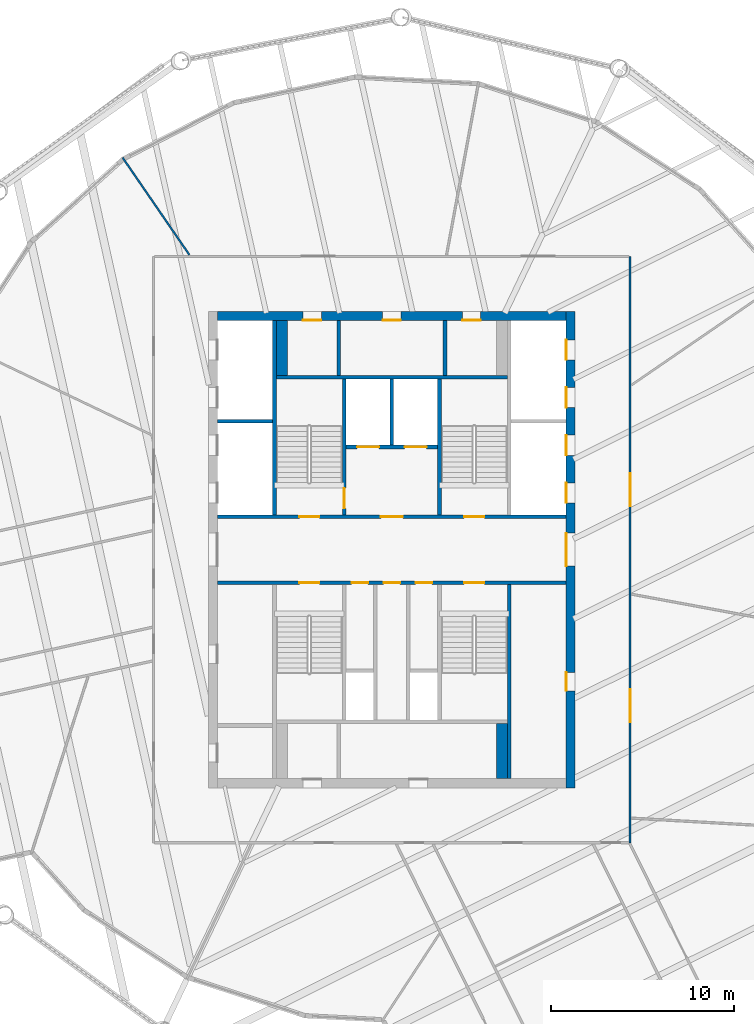
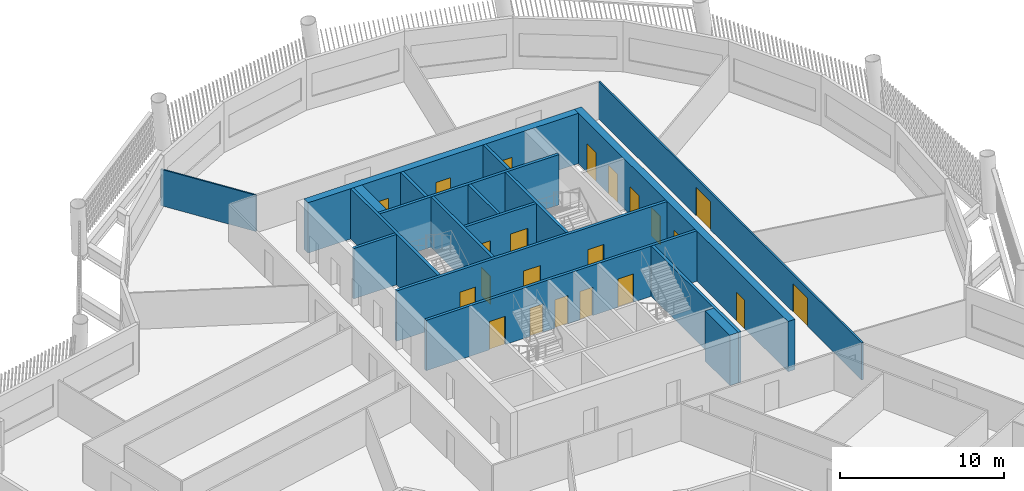
# One storey, part 5 of 14: 22 doors, 18 walls, 22 openings.
"""IFC4 building model written with IfcOpenShell, lengths in metres."""

import ifcopenshell
import ifcopenshell.guid

model = None  # the IFC model being written
_history = None  # IfcOwnerHistory: only IFC2X3 demands one
_inside = {}  # id of a spatial element -> (the spatial element, [elements in it])
_under = {}  # id of a project, library or spatial element -> (it, [spatial elements below it])
_declared = {}  # id of a project -> (the project, [libraries it declares])
_typed = {}  # id of a type object -> (the type object, [elements of that type])
_made_of = {}  # id of a material, layer set ... -> (it, [elements and type objects made of it])


def new_model(schema):
    """Start an empty IFC model of exactly this schema.

    Asked for "IFC4X3", IfcOpenShell would pick the latest addendum, in which some entities
    have other attributes; the version numbers below select the first issue.
    IFC2X3 requires an IfcOwnerHistory on every rooted entity: one is made here for all.
    """
    global model, _history
    if schema == "IFC4X3":
        model = ifcopenshell.file(schema_version=(4, 3, 0, 0))
    else:
        model = ifcopenshell.file(schema=schema)
    _inside.clear()
    _under.clear()
    _declared.clear()
    _typed.clear()
    _made_of.clear()
    _history = None
    if model.schema == "IFC2X3":
        org = make("IfcOrganization", Name="unknown")
        user = make(
            "IfcPersonAndOrganization",
            ThePerson=make("IfcPerson", FamilyName="unknown"),
            TheOrganization=org,
        )
        app = make(
            "IfcApplication",
            ApplicationDeveloper=org,
            Version="unknown",
            ApplicationFullName="unknown",
            ApplicationIdentifier="unknown",
        )
        _history = make(
            "IfcOwnerHistory",
            OwningUser=user,
            OwningApplication=app,
            ChangeAction="ADDED",
            CreationDate=0,
        )
    return model


def make(cls, **values):
    """One entity of the class cls with the attributes given. An attribute that is None is left unset."""
    return model.create_entity(
        cls, **{name: value for name, value in values.items() if value is not None}
    )


def rooted(cls, **values):
    """An entity with a GlobalId (a new one), such as an element, a storey or a relation."""
    return make(cls, GlobalId=ifcopenshell.guid.new(), OwnerHistory=_history, **values)


def si_unit(unit_type, name, prefix=None):
    """IfcSIUnit, for example si_unit("LENGTHUNIT", "METRE", prefix="MILLI")."""
    return make("IfcSIUnit", UnitType=unit_type, Prefix=prefix, Name=name)


def assignment(units):
    """IfcUnitAssignment: the units of a project."""
    return None if units is None else make("IfcUnitAssignment", Units=units)


def point(xyz):
    """IfcCartesianPoint."""
    return None if xyz is None else make("IfcCartesianPoint", Coordinates=xyz)


def direction(xyz):
    """IfcDirection."""
    return None if xyz is None else make("IfcDirection", DirectionRatios=xyz)


def frame(location, z_axis=None, x_axis=None):
    """IfcAxis2Placement3D, a coordinate frame: its origin and axes. An axis left out is left unset."""
    return make(
        "IfcAxis2Placement3D",
        Location=point(location),
        Axis=direction(z_axis),
        RefDirection=direction(x_axis),
    )


def frame_2d(location, x_axis=None):
    """IfcAxis2Placement2D, a coordinate frame in the plane: its origin and x axis."""
    return make(
        "IfcAxis2Placement2D", Location=point(location), RefDirection=direction(x_axis)
    )


def origin():
    """The frame at (0, 0, 0) with its axes left unset."""
    return frame((0.0, 0.0, 0.0))


def place(relative_to, where):
    """IfcLocalPlacement: puts the frame where relative to a parent placement (None: the world)."""
    return make(
        "IfcLocalPlacement", PlacementRelTo=relative_to, RelativePlacement=where
    )


def context(
    kind, dimensions, precision=None, world=None, true_north=None, identifier=None
):
    """IfcGeometricRepresentationContext, for example the 3D "Model" context."""
    return make(
        "IfcGeometricRepresentationContext",
        ContextIdentifier=identifier,
        ContextType=kind,
        CoordinateSpaceDimension=dimensions,
        Precision=precision,
        WorldCoordinateSystem=world,
        TrueNorth=true_north,
    )


def subcontext(parent, identifier, kind, view, scale=None):
    """IfcGeometricRepresentationSubContext, for example "Body" below "Model"."""
    return make(
        "IfcGeometricRepresentationSubContext",
        ContextIdentifier=identifier,
        ContextType=kind,
        ParentContext=parent,
        TargetScale=scale,
        TargetView=view,
    )


def project(units=None, contexts=None):
    """IfcProject with its units and contexts."""
    return rooted(
        "IfcProject",
        Name="project",
        RepresentationContexts=contexts,
        UnitsInContext=assignment(units),
    )


def spatial(cls, under=None, at=None, **own):
    """A site, building, storey or space (cls), placed at a placement, below another one or the project."""
    s = rooted(cls, ObjectPlacement=at, **own)
    if under is not None:
        _under.setdefault(under.id(), (under, []))[1].append(s)
    return s


def profile(cls, at=None, kind="AREA", **sizes):
    """A parametric profile (cls). Its sizes go by their IFC names, for example OverallWidth=200.0."""
    return make(cls, ProfileType=kind, Position=at, **sizes)


def rectangle(**sizes):
    """IfcRectangleProfileDef."""
    return profile("IfcRectangleProfileDef", **sizes)


def extrude(swept, where, along, depth):
    """IfcExtrudedAreaSolid: the profile swept, set in the frame where, extruded along a direction by depth."""
    return make(
        "IfcExtrudedAreaSolid",
        SweptArea=swept,
        Position=where,
        ExtrudedDirection=direction(along),
        Depth=depth,
    )


def shape(context_of_items, identifier, shape_type, items):
    """IfcShapeRepresentation: the items that make up one representation, for example the "Body"."""
    return make(
        "IfcShapeRepresentation",
        ContextOfItems=context_of_items,
        RepresentationIdentifier=identifier,
        RepresentationType=shape_type,
        Items=items,
    )


def material(Name=None, Category=None):
    """IfcMaterial."""
    return make("IfcMaterial", Name=Name, Category=Category)


def layer(
    of_material, thickness, ventilated=None, Name=None, Category=None, Priority=None
):
    """IfcMaterialLayer: one layer of a wall or slab, of a material (None: an air gap)."""
    return make(
        "IfcMaterialLayer",
        Material=of_material,
        LayerThickness=thickness,
        IsVentilated=ventilated,
        Name=Name,
        Category=Category,
        Priority=Priority,
    )


def layer_set(layers, Name=None):
    """IfcMaterialLayerSet."""
    return make("IfcMaterialLayerSet", MaterialLayers=layers, LayerSetName=Name)


def made_of(thing, what):
    """Note that an element or type object is made of a material, layer set ...; save() writes the relation."""
    if what is not None:
        _made_of.setdefault(what.id(), (what, []))[1].append(thing)
    return thing


def type_object(cls, material=None, **own):
    """A type object (cls), such as IfcWallType, which elements share."""
    return made_of(rooted(cls, **own), material)


def element(
    cls,
    number,
    at=None,
    inside=None,
    cuts=None,
    type_object=None,
    material=None,
    context=None,
    identifier="Body",
    shape_type=None,
    held_by="IfcProductDefinitionShape",
    body=None,
    shapes=None,
    **own,
):
    """One element of the class cls, such as IfcWall. Its Tag is "e" and its number.

    at: its placement. inside: the storey or other place that contains it. cuts: it is an
    opening in that element (IfcRelVoidsElement). A single representation is given by context,
    identifier, shape_type and body (its items); several are given by shapes. held_by: the class
    of the entity that holds the representations. save() writes the other relations.
    """
    e = rooted(cls, Tag="e%d" % number, ObjectPlacement=at, **own)
    if body is not None:
        shapes = [shape(context, identifier, shape_type, body)]
    if shapes is not None:
        e.Representation = make(held_by, Representations=shapes)
    if inside is not None:
        _inside.setdefault(inside.id(), (inside, []))[1].append(e)
    if cuts is not None:
        rooted(
            "IfcRelVoidsElement", RelatingBuildingElement=cuts, RelatedOpeningElement=e
        )
    if type_object is not None:
        _typed.setdefault(type_object.id(), (type_object, []))[1].append(e)
    return made_of(e, material)


def fill(opening, filler):
    """IfcRelFillsElement: the door or window that sits in an opening."""
    return rooted(
        "IfcRelFillsElement",
        RelatingOpeningElement=opening,
        RelatedBuildingElement=filler,
    )


def aggregate(whole, parts):
    """IfcRelAggregates: a whole, such as a stair, and the parts it consists of."""
    return rooted("IfcRelAggregates", RelatingObject=whole, RelatedObjects=parts)


def save(model, path):
    """Write the relations noted so far, then the file.

    IfcRelAggregates (storeys below a building ...), IfcRelContainedInSpatialStructure (elements
    in a storey), IfcRelDefinesByType, IfcRelAssociatesMaterial and IfcRelDeclares: one each for
    every whole, place, type object, material and project.
    """
    for whole, parts in _under.values():
        aggregate(whole, parts)
    for where, things in _inside.values():
        rooted(
            "IfcRelContainedInSpatialStructure",
            RelatedElements=things,
            RelatingStructure=where,
        )
    for kind, things in _typed.values():
        rooted("IfcRelDefinesByType", RelatedObjects=things, RelatingType=kind)
    for what, things in _made_of.values():
        rooted("IfcRelAssociatesMaterial", RelatedObjects=things, RelatingMaterial=what)
    for by, libraries in _declared.values():
        rooted("IfcRelDeclares", RelatingContext=by, RelatedDefinitions=libraries)
    model.write(path)


model = new_model("IFC4")

# Units and contexts
model_context = context("Model", 3, precision=1e-05, world=origin(), true_north=direction((0.0, 1.0)))
body_context = subcontext(model_context, "Body", "Model", "MODEL_VIEW")
ifc_project = project(units=[si_unit("LENGTHUNIT", "METRE"), si_unit("AREAUNIT", "SQUARE_METRE"), si_unit("VOLUMEUNIT", "CUBIC_METRE"), si_unit("PLANEANGLEUNIT", "RADIAN"), si_unit("MASSUNIT", "GRAM", prefix="KILO")], contexts=[model_context])

# Site, building, storey
site_placement = place(None, origin())
site = spatial("IfcSite", under=ifc_project, at=site_placement, CompositionType="ELEMENT")
building_placement = place(site_placement, origin())
building = spatial("IfcBuilding", under=site, at=building_placement, Name="Tarsis Ring Headquarters", CompositionType="ELEMENT")
storey_placement = place(building_placement, frame((0.0, 0.0, 335.300048828125)))
storey = spatial("IfcBuildingStorey", under=building, at=storey_placement, Name="L79", CompositionType="ELEMENT", Elevation=335.300048828125)

# Walls
ifc_material_1 = material(Name="Blockwork", Category="masonry")
ifc_layer_1 = layer(ifc_material_1, 0.199951171875)
ifc_layer_set_1 = layer_set([ifc_layer_1], Name="Core blockwork wall 200")
wall_type_1 = type_object("IfcWallType", Name="Core blockwork wall 200", PredefinedType="PARTITIONING", material=ifc_layer_set_1)
for number, where, z_axis, x_axis, name in (
    (1, (-2.89990234375, 9.5, 0.0), (0.0, 0.0, 1.0), (0.0, 1.0, 0.0), "Core partition ND1"),
    (2, (2.89990234375, 9.5, 0.0), (0.0, 0.0, 1.0), (0.0, 1.0, 0.0), "Core partition ND3"),
):
    element("IfcWall", number, at=place(storey_placement, frame(where, z_axis=z_axis, x_axis=x_axis)), inside=storey, type_object=wall_type_1, Name=name, PredefinedType="PARTITIONING", context=body_context, shape_type="SweptSolid", body=[
        extrude(rectangle(XDim=3.0, YDim=0.199951171875, at=frame_2d((1.5, 0.0))), origin(), (0.0, 0.0, 1.0), 3.739990234375),
    ])

# Wall, openings, doors
ifc_material_2 = material(Name="Concrete C50/60", Category="concrete")
ifc_layer_2 = layer(ifc_material_2, 0.5)
ifc_layer_set_2 = layer_set([ifc_layer_2], Name="Core wall 500 C50/60")
wall_type_2 = type_object("IfcWallType", Name="Core wall 500 C50/60", PredefinedType="SHEAR", material=ifc_layer_set_2)
wall_1_placement = place(storey_placement, frame((9.75, -13.0, 0.0), z_axis=(0.0, 0.0, 1.0), x_axis=(0.0, 1.0, 0.0)))
wall_1 = element("IfcWall", 3, at=wall_1_placement, inside=storey, type_object=wall_type_2, Name="Core wall OE", PredefinedType="SHEAR", context=body_context, shape_type="SweptSolid", body=[
    extrude(rectangle(XDim=26.0, YDim=0.5, at=frame_2d((13.0, 0.0))), origin(), (0.0, 0.0, 1.0), 3.739990234375),
])
opening_1_placement = place(wall_1_placement, frame((5.300048828125, 0.0, 0.0)))
opening_1 = element("IfcOpeningElement", 4, at=opening_1_placement, cuts=wall_1, Name="Opening L79-C08", PredefinedType="OPENING", context=body_context, shape_type="SweptSolid", body=[
    extrude(rectangle(XDim=1.0, YDim=2.10009765625, at=frame_2d((0.5, 1.050048828125))), frame((0.0, 0.260009765625, 0.0), z_axis=(0.0, -1.0, 0.0), x_axis=(1.0, 0.0, 0.0)), (0.0, 0.0, 1.0), 0.52001953125),
])
opening_2_placement = place(wall_1_placement, frame((12.10009765625, 0.0, 0.0)))
opening_2 = element("IfcOpeningElement", 5, at=opening_2_placement, cuts=wall_1, Name="Opening L79-C09", PredefinedType="OPENING", context=body_context, shape_type="SweptSolid", body=[
    extrude(rectangle(XDim=1.800048828125, YDim=2.10009765625, at=frame_2d((0.89990234375, 1.050048828125))), frame((0.0, 0.260009765625, 0.0), z_axis=(0.0, -1.0, 0.0), x_axis=(1.0, 0.0, 0.0)), (0.0, 0.0, 1.0), 0.52001953125),
])
opening_3_placement = place(wall_1_placement, frame((15.550048828125, 0.0, 0.0)))
opening_3 = element("IfcOpeningElement", 6, at=opening_3_placement, cuts=wall_1, Name="Opening LD-HR5", PredefinedType="OPENING", context=body_context, shape_type="SweptSolid", body=[
    extrude(rectangle(XDim=1.10009765625, YDim=2.10009765625, at=frame_2d((0.550048828125, 1.050048828125))), frame((0.0, 0.260009765625, 0.0), z_axis=(0.0, -1.0, 0.0), x_axis=(1.0, 0.0, 0.0)), (0.0, 0.0, 1.0), 0.52001953125),
])
opening_4_placement = place(wall_1_placement, frame((18.14990234375, 0.0, 0.0)))
opening_4 = element("IfcOpeningElement", 7, at=opening_4_placement, cuts=wall_1, Name="Opening LD-HR6", PredefinedType="OPENING", context=body_context, shape_type="SweptSolid", body=[
    extrude(rectangle(XDim=1.10009765625, YDim=2.10009765625, at=frame_2d((0.550048828125, 1.050048828125))), frame((0.0, 0.260009765625, 0.0), z_axis=(0.0, -1.0, 0.0), x_axis=(1.0, 0.0, 0.0)), (0.0, 0.0, 1.0), 0.52001953125),
])
opening_5_placement = place(wall_1_placement, frame((20.75, 0.0, 0.0)))
opening_5 = element("IfcOpeningElement", 8, at=opening_5_placement, cuts=wall_1, Name="Opening LD-HR7", PredefinedType="OPENING", context=body_context, shape_type="SweptSolid", body=[
    extrude(rectangle(XDim=1.10009765625, YDim=2.10009765625, at=frame_2d((0.550048828125, 1.050048828125))), frame((0.0, 0.260009765625, 0.0), z_axis=(0.0, -1.0, 0.0), x_axis=(1.0, 0.0, 0.0)), (0.0, 0.0, 1.0), 0.52001953125),
])
opening_6_placement = place(wall_1_placement, frame((23.35009765625, 0.0, 0.0)))
opening_6 = element("IfcOpeningElement", 9, at=opening_6_placement, cuts=wall_1, Name="Opening LD-HR8", PredefinedType="OPENING", context=body_context, shape_type="SweptSolid", body=[
    extrude(rectangle(XDim=1.10009765625, YDim=2.10009765625, at=frame_2d((0.550048828125, 1.050048828125))), frame((0.0, 0.260009765625, 0.0), z_axis=(0.0, -1.0, 0.0), x_axis=(1.0, 0.0, 0.0)), (0.0, 0.0, 1.0), 0.52001953125),
])
ifc_material_3 = material(Name="Steel S355", Category="steel")
door_type_1 = type_object("IfcDoorType", Name="Core entry door 1800x2100", OperationType="DOUBLE_DOOR_SINGLE_SWING", PredefinedType="DOOR", material=ifc_material_3)
door_1_placement = place(opening_2_placement, origin())
door_1 = element("IfcDoor", 10, at=door_1_placement, inside=storey, type_object=door_type_1, Name="Core entry door L79", OperationType="DOUBLE_DOOR_SINGLE_SWING", OverallHeight=2.10009765625, OverallWidth=1.800048828125, PredefinedType="DOOR", context=body_context, shape_type="SweptSolid", body=[
    extrude(rectangle(XDim=1.800048828125, YDim=2.10009765625, at=frame_2d((0.89990234375, 1.050048828125))), frame((0.0, 0.25, 0.0), z_axis=(0.0, -1.0, 0.0), x_axis=(1.0, 0.0, 0.0)), (0.0, 0.0, 1.0), 0.050048828125),
])
fill(opening_2, door_1)
door_type_2 = type_object("IfcDoorType", Name="Core room door 1000x2100", OperationType="SINGLE_SWING_LEFT", PredefinedType="DOOR", material=ifc_material_3)
door_2_placement = place(opening_1_placement, origin())
door_2 = element("IfcDoor", 11, at=door_2_placement, inside=storey, type_object=door_type_2, Name="Core room door L79", OperationType="SINGLE_SWING_LEFT", OverallHeight=2.10009765625, OverallWidth=1.0, PredefinedType="DOOR", context=body_context, shape_type="SweptSolid", body=[
    extrude(rectangle(XDim=1.0, YDim=2.10009765625, at=frame_2d((0.5, 1.050048828125))), frame((0.0, 0.25, 0.0), z_axis=(0.0, -1.0, 0.0), x_axis=(1.0, 0.0, 0.0)), (0.0, 0.0, 1.0), 0.050048828125),
])
fill(opening_1, door_2)
door_type_3 = type_object("IfcDoorType", Name="Landing door 1100x2100", OperationType="SLIDING_TO_LEFT", PredefinedType="DOOR", material=ifc_material_3)
door_3_placement = place(opening_3_placement, origin())
door_3 = element("IfcDoor", 12, at=door_3_placement, inside=storey, type_object=door_type_3, Name="Landing door HR5 L79", OperationType="SLIDING_TO_LEFT", OverallHeight=2.10009765625, OverallWidth=1.10009765625, PredefinedType="DOOR", context=body_context, shape_type="SweptSolid", body=[
    extrude(rectangle(XDim=1.10009765625, YDim=2.10009765625, at=frame_2d((0.550048828125, 1.050048828125))), frame((0.0, 0.25, 0.0), z_axis=(0.0, -1.0, 0.0), x_axis=(1.0, 0.0, 0.0)), (0.0, 0.0, 1.0), 0.050048828125),
])
fill(opening_3, door_3)
door_4_placement = place(opening_4_placement, origin())
door_4 = element("IfcDoor", 13, at=door_4_placement, inside=storey, type_object=door_type_3, Name="Landing door HR6 L79", OperationType="SLIDING_TO_LEFT", OverallHeight=2.10009765625, OverallWidth=1.10009765625, PredefinedType="DOOR", context=body_context, shape_type="SweptSolid", body=[
    extrude(rectangle(XDim=1.10009765625, YDim=2.10009765625, at=frame_2d((0.550048828125, 1.050048828125))), frame((0.0, 0.25, 0.0), z_axis=(0.0, -1.0, 0.0), x_axis=(1.0, 0.0, 0.0)), (0.0, 0.0, 1.0), 0.050048828125),
])
fill(opening_4, door_4)
door_5_placement = place(opening_5_placement, origin())
door_5 = element("IfcDoor", 14, at=door_5_placement, inside=storey, type_object=door_type_3, Name="Landing door HR7 L79", OperationType="SLIDING_TO_LEFT", OverallHeight=2.10009765625, OverallWidth=1.10009765625, PredefinedType="DOOR", context=body_context, shape_type="SweptSolid", body=[
    extrude(rectangle(XDim=1.10009765625, YDim=2.10009765625, at=frame_2d((0.550048828125, 1.050048828125))), frame((0.0, 0.25, 0.0), z_axis=(0.0, -1.0, 0.0), x_axis=(1.0, 0.0, 0.0)), (0.0, 0.0, 1.0), 0.050048828125),
])
fill(opening_5, door_5)
door_6_placement = place(opening_6_placement, origin())
door_6 = element("IfcDoor", 15, at=door_6_placement, inside=storey, type_object=door_type_3, Name="Landing door HR8 L79", OperationType="SLIDING_TO_LEFT", OverallHeight=2.10009765625, OverallWidth=1.10009765625, PredefinedType="DOOR", context=body_context, shape_type="SweptSolid", body=[
    extrude(rectangle(XDim=1.10009765625, YDim=2.10009765625, at=frame_2d((0.550048828125, 1.050048828125))), frame((0.0, 0.25, 0.0), z_axis=(0.0, -1.0, 0.0), x_axis=(1.0, 0.0, 0.0)), (0.0, 0.0, 1.0), 0.050048828125),
])
fill(opening_6, door_6)

wall_2_placement = place(storey_placement, frame((-9.5, 12.75, 0.0), z_axis=(0.0, 0.0, 1.0), x_axis=(1.0, 0.0, 0.0)))
wall_2 = element("IfcWall", 16, at=wall_2_placement, inside=storey, type_object=wall_type_2, Name="Core wall ON", PredefinedType="SHEAR", context=body_context, shape_type="SweptSolid", body=[
    extrude(rectangle(XDim=19.0, YDim=0.5, at=frame_2d((9.5, 0.0))), origin(), (0.0, 0.0, 1.0), 3.739990234375),
])
opening_7_placement = place(wall_2_placement, frame((4.64990234375, 0.0, 0.0)))
opening_7 = element("IfcOpeningElement", 17, at=opening_7_placement, cuts=wall_2, Name="Opening L79-C14", PredefinedType="OPENING", context=body_context, shape_type="SweptSolid", body=[
    extrude(rectangle(XDim=1.0, YDim=2.10009765625, at=frame_2d((0.5, 1.050048828125))), frame((0.0, 0.260009765625, 0.0), z_axis=(0.0, -1.0, 0.0), x_axis=(1.0, 0.0, 0.0)), (0.0, 0.0, 1.0), 0.52001953125),
])
opening_8_placement = place(wall_2_placement, frame((9.0, 0.0, 0.0)))
opening_8 = element("IfcOpeningElement", 18, at=opening_8_placement, cuts=wall_2, Name="Opening L79-C15", PredefinedType="OPENING", context=body_context, shape_type="SweptSolid", body=[
    extrude(rectangle(XDim=1.0, YDim=2.10009765625, at=frame_2d((0.5, 1.050048828125))), frame((0.0, 0.260009765625, 0.0), z_axis=(0.0, -1.0, 0.0), x_axis=(1.0, 0.0, 0.0)), (0.0, 0.0, 1.0), 0.52001953125),
])
opening_9_placement = place(wall_2_placement, frame((13.35009765625, 0.0, 0.0)))
opening_9 = element("IfcOpeningElement", 19, at=opening_9_placement, cuts=wall_2, Name="Opening L79-C16", PredefinedType="OPENING", context=body_context, shape_type="SweptSolid", body=[
    extrude(rectangle(XDim=1.0, YDim=2.10009765625, at=frame_2d((0.5, 1.050048828125))), frame((0.0, 0.260009765625, 0.0), z_axis=(0.0, -1.0, 0.0), x_axis=(1.0, 0.0, 0.0)), (0.0, 0.0, 1.0), 0.52001953125),
])
door_7_placement = place(opening_7_placement, origin())
door_7 = element("IfcDoor", 20, at=door_7_placement, inside=storey, type_object=door_type_2, Name="Core room door L79", OperationType="SINGLE_SWING_LEFT", OverallHeight=2.10009765625, OverallWidth=1.0, PredefinedType="DOOR", context=body_context, shape_type="SweptSolid", body=[
    extrude(rectangle(XDim=1.0, YDim=2.10009765625, at=frame_2d((0.5, 1.050048828125))), frame((0.0, -0.2001953125, 0.0), z_axis=(0.0, -1.0, 0.0), x_axis=(1.0, 0.0, 0.0)), (0.0, 0.0, 1.0), 0.050048828125),
])
fill(opening_7, door_7)
door_8_placement = place(opening_8_placement, origin())
door_8 = element("IfcDoor", 21, at=door_8_placement, inside=storey, type_object=door_type_2, Name="Core room door L79", OperationType="SINGLE_SWING_LEFT", OverallHeight=2.10009765625, OverallWidth=1.0, PredefinedType="DOOR", context=body_context, shape_type="SweptSolid", body=[
    extrude(rectangle(XDim=1.0, YDim=2.10009765625, at=frame_2d((0.5, 1.050048828125))), frame((0.0, -0.2001953125, 0.0), z_axis=(0.0, -1.0, 0.0), x_axis=(1.0, 0.0, 0.0)), (0.0, 0.0, 1.0), 0.050048828125),
])
fill(opening_8, door_8)
door_9_placement = place(opening_9_placement, origin())
door_9 = element("IfcDoor", 22, at=door_9_placement, inside=storey, type_object=door_type_2, Name="Core room door L79", OperationType="SINGLE_SWING_LEFT", OverallHeight=2.10009765625, OverallWidth=1.0, PredefinedType="DOOR", context=body_context, shape_type="SweptSolid", body=[
    extrude(rectangle(XDim=1.0, YDim=2.10009765625, at=frame_2d((0.5, 1.050048828125))), frame((0.0, -0.2001953125, 0.0), z_axis=(0.0, -1.0, 0.0), x_axis=(1.0, 0.0, 0.0)), (0.0, 0.0, 1.0), 0.050048828125),
])
fill(opening_9, door_9)

# Wall
ifc_material_4 = material(Name="Gypsum board on steel studs", Category="steel")
ifc_layer_3 = layer(ifc_material_4, 0.10009765625)
ifc_layer_set_3 = layer_set([ifc_layer_3], Name="FL partition 100 unrated")
wall_type_3 = type_object("IfcWallType", Name="FL partition 100 unrated", PredefinedType="PARTITIONING", material=ifc_layer_set_3)
wall_3_placement = place(storey_placement, frame((-14.689697265625, 21.389404296875, 0.0), z_axis=(0.0, 0.0, 1.0), x_axis=(0.566137669507, -0.824310705478, 0.0)))
element("IfcWall", 23, at=wall_3_placement, inside=storey, type_object=wall_type_3, Name="Partition PW3", PredefinedType="PARTITIONING", context=body_context, shape_type="SweptSolid", body=[
    extrude(rectangle(XDim=6.43798828125, YDim=0.10009765625, at=frame_2d((3.218994140625, 0.0))), origin(), (0.0, 0.0, 1.0), 2.699951171875),
])

# Wall, openings, doors
ifc_layer_4 = layer(ifc_material_4, 0.125)
ifc_layer_set_4 = layer_set([ifc_layer_4], Name="FL partition 125 EI 60 H2770")
wall_type_4 = type_object("IfcWallType", Name="FL partition 125 EI 60 H2770", PredefinedType="PARTITIONING", material=ifc_layer_set_4)
wall_4_placement = place(storey_placement, frame((13.0, -16.0, 0.0), z_axis=(0.0, 0.0, 1.0), x_axis=(0.0, 1.0, 0.0)))
wall_4 = element("IfcWall", 24, at=wall_4_placement, inside=storey, type_object=wall_type_4, Name="Partition PW1", PredefinedType="PARTITIONING", context=body_context, shape_type="SweptSolid", body=[
    extrude(rectangle(XDim=32.0, YDim=0.125, at=frame_2d((16.0, 0.0))), origin(), (0.0, 0.0, 1.0), 2.77001953125),
])
opening_10_placement = place(wall_4_placement, frame((18.35693359375, 0.0, 0.0)))
opening_10 = element("IfcOpeningElement", 25, at=opening_10_placement, cuts=wall_4, Name="Opening D79.07", PredefinedType="OPENING", context=body_context, shape_type="SweptSolid", body=[
    extrude(rectangle(XDim=1.800048828125, YDim=2.10009765625, at=frame_2d((0.89990234375, 1.050048828125))), frame((0.0, 0.072509765625, 0.0), z_axis=(0.0, -1.0, 0.0), x_axis=(1.0, 0.0, 0.0)), (0.0, 0.0, 1.0), 0.14501953125),
])
opening_11_placement = place(wall_4_placement, frame((6.56884765625, 0.0, 0.0)))
opening_11 = element("IfcOpeningElement", 26, at=opening_11_placement, cuts=wall_4, Name="Opening D79.08", PredefinedType="OPENING", context=body_context, shape_type="SweptSolid", body=[
    extrude(rectangle(XDim=1.800048828125, YDim=2.10009765625, at=frame_2d((0.89990234375, 1.050048828125))), frame((0.0, 0.072509765625, 0.0), z_axis=(0.0, -1.0, 0.0), x_axis=(1.0, 0.0, 0.0)), (0.0, 0.0, 1.0), 0.14501953125),
])
ifc_material_5 = material(Name="Fire-rated timber door leaf in steel frame", Category="steel")
door_type_4 = type_object("IfcDoorType", Name="FL door FD60-1800", OperationType="DOUBLE_DOOR_SINGLE_SWING", PredefinedType="DOOR", material=ifc_material_5)
door_10_placement = place(opening_10_placement, origin())
door_10 = element("IfcDoor", 27, at=door_10_placement, inside=storey, type_object=door_type_4, Name="Door D79.07", OperationType="DOUBLE_DOOR_SINGLE_SWING", OverallHeight=2.10009765625, OverallWidth=1.800048828125, PredefinedType="DOOR", context=body_context, shape_type="SweptSolid", body=[
    extrude(rectangle(XDim=1.800048828125, YDim=2.10009765625, at=frame_2d((0.89990234375, 1.050048828125))), frame((0.0, 0.02490234375, 0.0), z_axis=(0.0, -1.0, 0.0), x_axis=(1.0, 0.0, 0.0)), (0.0, 0.0, 1.0), 0.050048828125),
])
fill(opening_10, door_10)
door_11_placement = place(opening_11_placement, origin())
door_11 = element("IfcDoor", 28, at=door_11_placement, inside=storey, type_object=door_type_4, Name="Door D79.08", OperationType="DOUBLE_DOOR_SINGLE_SWING", OverallHeight=2.10009765625, OverallWidth=1.800048828125, PredefinedType="DOOR", context=body_context, shape_type="SweptSolid", body=[
    extrude(rectangle(XDim=1.800048828125, YDim=2.10009765625, at=frame_2d((0.89990234375, 1.050048828125))), frame((0.0, 0.02490234375, 0.0), z_axis=(0.0, -1.0, 0.0), x_axis=(1.0, 0.0, 0.0)), (0.0, 0.0, 1.0), 0.050048828125),
])
fill(opening_11, door_11)

# Walls
ifc_material_6 = material(Name="Concrete C32/40", Category="concrete")
ifc_layer_5 = layer(ifc_material_6, 0.60009765625)
ifc_layer_set_5 = layer_set([ifc_layer_5], Name="Shaft end wall 600 C32/40")
wall_type_5 = type_object("IfcWallType", Name="Shaft end wall 600 C32/40", PredefinedType="SOLIDWALL", material=ifc_layer_set_5)
for number, where, z_axis, x_axis, name in (
    (29, (-6.0, 9.5, 0.0), (0.0, 0.0, 1.0), (0.0, 1.0, 0.0), "Core shaft wall NNE1"),
    (30, (6.0, -12.5, 0.0), (0.0, 0.0, 1.0), (0.0, 1.0, 0.0), "Core shaft wall SNE2"),
):
    element("IfcWall", number, at=place(storey_placement, frame(where, z_axis=z_axis, x_axis=x_axis)), inside=storey, type_object=wall_type_5, Name=name, PredefinedType="SOLIDWALL", context=body_context, shape_type="SweptSolid", body=[
        extrude(rectangle(XDim=3.0, YDim=0.60009765625, at=frame_2d((1.5, 0.0))), origin(), (0.0, 0.0, 1.0), 3.739990234375),
    ])

# Wall, openings, doors
ifc_layer_6 = layer(ifc_material_6, 0.199951171875)
ifc_layer_set_6 = layer_set([ifc_layer_6], Name="Shaft wall 200 C32/40")
wall_type_6 = type_object("IfcWallType", Name="Shaft wall 200 C32/40", PredefinedType="SOLIDWALL", material=ifc_layer_set_6)
wall_5_placement = place(storey_placement, frame((-9.5, 1.800048828125, 0.0), z_axis=(0.0, 0.0, 1.0), x_axis=(1.0, 0.0, 0.0)))
wall_5 = element("IfcWall", 31, at=wall_5_placement, inside=storey, type_object=wall_type_6, Name="Core shaft wall CN", PredefinedType="SOLIDWALL", context=body_context, shape_type="SweptSolid", body=[
    extrude(rectangle(XDim=19.0, YDim=0.199951171875, at=frame_2d((9.5, 0.0))), origin(), (0.0, 0.0, 1.0), 3.739990234375),
])
opening_12_placement = place(wall_5_placement, frame((4.449951171875, 0.0, 0.0)))
opening_12 = element("IfcOpeningElement", 32, at=opening_12_placement, cuts=wall_5, Name="Opening L79-C19", PredefinedType="OPENING", context=body_context, shape_type="SweptSolid", body=[
    extrude(rectangle(XDim=1.10009765625, YDim=2.10009765625, at=frame_2d((0.550048828125, 1.050048828125))), frame((0.0, 0.10986328125, 0.0), z_axis=(0.0, -1.0, 0.0), x_axis=(1.0, 0.0, 0.0)), (0.0, 0.0, 1.0), 0.219970703125),
])
opening_13_placement = place(wall_5_placement, frame((8.89990234375, 0.0, 0.0)))
opening_13 = element("IfcOpeningElement", 33, at=opening_13_placement, cuts=wall_5, Name="Opening L79-C20", PredefinedType="OPENING", context=body_context, shape_type="SweptSolid", body=[
    extrude(rectangle(XDim=1.199951171875, YDim=2.10009765625, at=frame_2d((0.60009765625, 1.050048828125))), frame((0.0, 0.10986328125, 0.0), z_axis=(0.0, -1.0, 0.0), x_axis=(1.0, 0.0, 0.0)), (0.0, 0.0, 1.0), 0.219970703125),
])
opening_14_placement = place(wall_5_placement, frame((13.449951171875, 0.0, 0.0)))
opening_14 = element("IfcOpeningElement", 34, at=opening_14_placement, cuts=wall_5, Name="Opening L79-C21", PredefinedType="OPENING", context=body_context, shape_type="SweptSolid", body=[
    extrude(rectangle(XDim=1.10009765625, YDim=2.10009765625, at=frame_2d((0.550048828125, 1.050048828125))), frame((0.0, 0.10986328125, 0.0), z_axis=(0.0, -1.0, 0.0), x_axis=(1.0, 0.0, 0.0)), (0.0, 0.0, 1.0), 0.219970703125),
])
door_type_5 = type_object("IfcDoorType", Name="Firefighting lobby door 1200x2100", OperationType="DOUBLE_DOOR_SINGLE_SWING", PredefinedType="DOOR", material=ifc_material_3)
door_12_placement = place(opening_13_placement, origin())
door_12 = element("IfcDoor", 35, at=door_12_placement, inside=storey, type_object=door_type_5, Name="Firefighting lobby door L79", OperationType="DOUBLE_DOOR_SINGLE_SWING", OverallHeight=2.10009765625, OverallWidth=1.199951171875, PredefinedType="DOOR", context=body_context, shape_type="SweptSolid", body=[
    extrude(rectangle(XDim=1.199951171875, YDim=2.10009765625, at=frame_2d((0.60009765625, 1.050048828125))), frame((0.0, 0.02490234375, 0.0), z_axis=(0.0, -1.0, 0.0), x_axis=(1.0, 0.0, 0.0)), (0.0, 0.0, 1.0), 0.050048828125),
])
fill(opening_13, door_12)
door_type_6 = type_object("IfcDoorType", Name="Stair door 1100x2100", OperationType="SINGLE_SWING_LEFT", PredefinedType="DOOR", material=ifc_material_3)
door_13_placement = place(opening_12_placement, origin())
door_13 = element("IfcDoor", 36, at=door_13_placement, inside=storey, type_object=door_type_6, Name="Stair door L79", OperationType="SINGLE_SWING_LEFT", OverallHeight=2.10009765625, OverallWidth=1.10009765625, PredefinedType="DOOR", context=body_context, shape_type="SweptSolid", body=[
    extrude(rectangle(XDim=1.10009765625, YDim=2.10009765625, at=frame_2d((0.550048828125, 1.050048828125))), frame((0.0, 0.02490234375, 0.0), z_axis=(0.0, -1.0, 0.0), x_axis=(1.0, 0.0, 0.0)), (0.0, 0.0, 1.0), 0.050048828125),
])
fill(opening_12, door_13)
door_14_placement = place(opening_14_placement, origin())
door_14 = element("IfcDoor", 37, at=door_14_placement, inside=storey, type_object=door_type_6, Name="Stair door L79", OperationType="SINGLE_SWING_LEFT", OverallHeight=2.10009765625, OverallWidth=1.10009765625, PredefinedType="DOOR", context=body_context, shape_type="SweptSolid", body=[
    extrude(rectangle(XDim=1.10009765625, YDim=2.10009765625, at=frame_2d((0.550048828125, 1.050048828125))), frame((0.0, 0.02490234375, 0.0), z_axis=(0.0, -1.0, 0.0), x_axis=(1.0, 0.0, 0.0)), (0.0, 0.0, 1.0), 0.050048828125),
])
fill(opening_14, door_14)

wall_6_placement = place(storey_placement, frame((-9.5, -1.800048828125, 0.0), z_axis=(0.0, 0.0, 1.0), x_axis=(1.0, 0.0, 0.0)))
wall_6 = element("IfcWall", 38, at=wall_6_placement, inside=storey, type_object=wall_type_6, Name="Core shaft wall CS", PredefinedType="SOLIDWALL", context=body_context, shape_type="SweptSolid", body=[
    extrude(rectangle(XDim=19.0, YDim=0.199951171875, at=frame_2d((9.5, 0.0))), origin(), (0.0, 0.0, 1.0), 3.739990234375),
])
opening_15_placement = place(wall_6_placement, frame((4.449951171875, 0.0, 0.0)))
opening_15 = element("IfcOpeningElement", 39, at=opening_15_placement, cuts=wall_6, Name="Opening L79-C22", PredefinedType="OPENING", context=body_context, shape_type="SweptSolid", body=[
    extrude(rectangle(XDim=1.10009765625, YDim=2.10009765625, at=frame_2d((0.550048828125, 1.050048828125))), frame((0.0, 0.10986328125, 0.0), z_axis=(0.0, -1.0, 0.0), x_axis=(1.0, 0.0, 0.0)), (0.0, 0.0, 1.0), 0.219970703125),
])
opening_16_placement = place(wall_6_placement, frame((7.300048828125, 0.0, 0.0)))
opening_16 = element("IfcOpeningElement", 40, at=opening_16_placement, cuts=wall_6, Name="Opening L79-C23", PredefinedType="OPENING", context=body_context, shape_type="SweptSolid", body=[
    extrude(rectangle(XDim=0.89990234375, YDim=2.10009765625, at=frame_2d((0.449951171875, 1.050048828125))), frame((0.0, 0.10986328125, 0.0), z_axis=(0.0, -1.0, 0.0), x_axis=(1.0, 0.0, 0.0)), (0.0, 0.0, 1.0), 0.219970703125),
])
opening_17_placement = place(wall_6_placement, frame((9.050048828125, 0.0, 0.0)))
opening_17 = element("IfcOpeningElement", 41, at=opening_17_placement, cuts=wall_6, Name="Opening L79-C24", PredefinedType="OPENING", context=body_context, shape_type="SweptSolid", body=[
    extrude(rectangle(XDim=0.89990234375, YDim=2.10009765625, at=frame_2d((0.449951171875, 1.050048828125))), frame((0.0, 0.10986328125, 0.0), z_axis=(0.0, -1.0, 0.0), x_axis=(1.0, 0.0, 0.0)), (0.0, 0.0, 1.0), 0.219970703125),
])
opening_18_placement = place(wall_6_placement, frame((10.800048828125, 0.0, 0.0)))
opening_18 = element("IfcOpeningElement", 42, at=opening_18_placement, cuts=wall_6, Name="Opening L79-C25", PredefinedType="OPENING", context=body_context, shape_type="SweptSolid", body=[
    extrude(rectangle(XDim=0.89990234375, YDim=2.10009765625, at=frame_2d((0.449951171875, 1.050048828125))), frame((0.0, 0.10986328125, 0.0), z_axis=(0.0, -1.0, 0.0), x_axis=(1.0, 0.0, 0.0)), (0.0, 0.0, 1.0), 0.219970703125),
])
opening_19_placement = place(wall_6_placement, frame((13.449951171875, 0.0, 0.0)))
opening_19 = element("IfcOpeningElement", 43, at=opening_19_placement, cuts=wall_6, Name="Opening L79-C26", PredefinedType="OPENING", context=body_context, shape_type="SweptSolid", body=[
    extrude(rectangle(XDim=1.10009765625, YDim=2.10009765625, at=frame_2d((0.550048828125, 1.050048828125))), frame((0.0, 0.10986328125, 0.0), z_axis=(0.0, -1.0, 0.0), x_axis=(1.0, 0.0, 0.0)), (0.0, 0.0, 1.0), 0.219970703125),
])
door_15_placement = place(opening_15_placement, origin())
door_15 = element("IfcDoor", 44, at=door_15_placement, inside=storey, type_object=door_type_6, Name="Stair door L79", OperationType="SINGLE_SWING_LEFT", OverallHeight=2.10009765625, OverallWidth=1.10009765625, PredefinedType="DOOR", context=body_context, shape_type="SweptSolid", body=[
    extrude(rectangle(XDim=1.10009765625, YDim=2.10009765625, at=frame_2d((0.550048828125, 1.050048828125))), frame((0.0, 0.02490234375, 0.0), z_axis=(0.0, -1.0, 0.0), x_axis=(1.0, 0.0, 0.0)), (0.0, 0.0, 1.0), 0.050048828125),
])
fill(opening_15, door_15)
door_16_placement = place(opening_19_placement, origin())
door_16 = element("IfcDoor", 45, at=door_16_placement, inside=storey, type_object=door_type_6, Name="Stair door L79", OperationType="SINGLE_SWING_LEFT", OverallHeight=2.10009765625, OverallWidth=1.10009765625, PredefinedType="DOOR", context=body_context, shape_type="SweptSolid", body=[
    extrude(rectangle(XDim=1.10009765625, YDim=2.10009765625, at=frame_2d((0.550048828125, 1.050048828125))), frame((0.0, 0.02490234375, 0.0), z_axis=(0.0, -1.0, 0.0), x_axis=(1.0, 0.0, 0.0)), (0.0, 0.0, 1.0), 0.050048828125),
])
fill(opening_19, door_16)
door_type_7 = type_object("IfcDoorType", Name="WC door 900x2100", OperationType="SINGLE_SWING_LEFT", PredefinedType="DOOR", material=ifc_material_3)
door_17_placement = place(opening_16_placement, origin())
door_17 = element("IfcDoor", 46, at=door_17_placement, inside=storey, type_object=door_type_7, Name="WC door L79", OperationType="SINGLE_SWING_LEFT", OverallHeight=2.10009765625, OverallWidth=0.89990234375, PredefinedType="DOOR", context=body_context, shape_type="SweptSolid", body=[
    extrude(rectangle(XDim=0.89990234375, YDim=2.10009765625, at=frame_2d((0.449951171875, 1.050048828125))), frame((0.0, 0.02490234375, 0.0), z_axis=(0.0, -1.0, 0.0), x_axis=(1.0, 0.0, 0.0)), (0.0, 0.0, 1.0), 0.050048828125),
])
fill(opening_16, door_17)
door_18_placement = place(opening_17_placement, origin())
door_18 = element("IfcDoor", 47, at=door_18_placement, inside=storey, type_object=door_type_7, Name="WC door L79", OperationType="SINGLE_SWING_LEFT", OverallHeight=2.10009765625, OverallWidth=0.89990234375, PredefinedType="DOOR", context=body_context, shape_type="SweptSolid", body=[
    extrude(rectangle(XDim=0.89990234375, YDim=2.10009765625, at=frame_2d((0.449951171875, 1.050048828125))), frame((0.0, 0.02490234375, 0.0), z_axis=(0.0, -1.0, 0.0), x_axis=(1.0, 0.0, 0.0)), (0.0, 0.0, 1.0), 0.050048828125),
])
fill(opening_17, door_18)
door_19_placement = place(opening_18_placement, origin())
door_19 = element("IfcDoor", 48, at=door_19_placement, inside=storey, type_object=door_type_7, Name="WC door L79", OperationType="SINGLE_SWING_LEFT", OverallHeight=2.10009765625, OverallWidth=0.89990234375, PredefinedType="DOOR", context=body_context, shape_type="SweptSolid", body=[
    extrude(rectangle(XDim=0.89990234375, YDim=2.10009765625, at=frame_2d((0.449951171875, 1.050048828125))), frame((0.0, 0.02490234375, 0.0), z_axis=(0.0, -1.0, 0.0), x_axis=(1.0, 0.0, 0.0)), (0.0, 0.0, 1.0), 0.050048828125),
])
fill(opening_18, door_19)

# Walls
for number, where, z_axis, x_axis, name in (
    (49, (-6.39990234375, 1.89990234375, 0.0), (0.0, 0.0, 1.0), (0.0, 1.0, 0.0), "Core shaft wall WB2"),
    (50, (6.39990234375, -12.5, 0.0), (0.0, 0.0, 1.0), (0.0, 1.0, 0.0), "Core shaft wall EB1"),
):
    element("IfcWall", number, at=place(storey_placement, frame(where, z_axis=z_axis, x_axis=x_axis)), inside=storey, type_object=wall_type_6, Name=name, PredefinedType="SOLIDWALL", context=body_context, shape_type="SweptSolid", body=[
        extrude(rectangle(XDim=10.60009765625, YDim=0.199951171875, at=frame_2d((5.300048828125, 0.0))), origin(), (0.0, 0.0, 1.0), 3.739990234375),
    ])
wall_7_placement = place(storey_placement, frame((-6.300048828125, 9.39990234375, 0.0), z_axis=(0.0, 0.0, 1.0), x_axis=(1.0, 0.0, 0.0)))
element("IfcWall", 51, at=wall_7_placement, inside=storey, type_object=wall_type_6, Name="Core shaft wall NB", PredefinedType="SOLIDWALL", context=body_context, shape_type="SweptSolid", body=[
    extrude(rectangle(XDim=12.60009765625, YDim=0.199951171875, at=frame_2d((6.300048828125, 0.0))), origin(), (0.0, 0.0, 1.0), 3.739990234375),
])

# Wall, opening, door
wall_8_placement = place(storey_placement, frame((-2.60009765625, 1.89990234375, 0.0), z_axis=(0.0, 0.0, 1.0), x_axis=(0.0, 1.0, 0.0)))
wall_8 = element("IfcWall", 52, at=wall_8_placement, inside=storey, type_object=wall_type_6, Name="Core shaft wall SW1", PredefinedType="SOLIDWALL", context=body_context, shape_type="SweptSolid", body=[
    extrude(rectangle(XDim=7.400146484375, YDim=0.199951171875, at=frame_2d((3.7001953125, 0.0))), origin(), (0.0, 0.0, 1.0), 3.739990234375),
])
opening_20_placement = place(wall_8_placement, frame((0.35009765625, 0.0, 0.0)))
opening_20 = element("IfcOpeningElement", 53, at=opening_20_placement, cuts=wall_8, Name="Opening L79-C27", PredefinedType="OPENING", context=body_context, shape_type="SweptSolid", body=[
    extrude(rectangle(XDim=1.10009765625, YDim=2.10009765625, at=frame_2d((0.550048828125, 1.050048828125))), frame((0.0, 0.10986328125, 0.0), z_axis=(0.0, -1.0, 0.0), x_axis=(1.0, 0.0, 0.0)), (0.0, 0.0, 1.0), 0.219970703125),
])
door_20_placement = place(opening_20_placement, origin())
door_20 = element("IfcDoor", 54, at=door_20_placement, inside=storey, type_object=door_type_6, Name="Stair door L79", OperationType="SINGLE_SWING_LEFT", OverallHeight=2.10009765625, OverallWidth=1.10009765625, PredefinedType="DOOR", context=body_context, shape_type="SweptSolid", body=[
    extrude(rectangle(XDim=1.10009765625, YDim=2.10009765625, at=frame_2d((0.550048828125, 1.050048828125))), frame((0.0, 0.02490234375, 0.0), z_axis=(0.0, -1.0, 0.0), x_axis=(1.0, 0.0, 0.0)), (0.0, 0.0, 1.0), 0.050048828125),
])
fill(opening_20, door_20)

# Wall
wall_9_placement = place(storey_placement, frame((2.60009765625, 1.89990234375, 0.0), z_axis=(0.0, 0.0, 1.0), x_axis=(0.0, 1.0, 0.0)))
element("IfcWall", 55, at=wall_9_placement, inside=storey, type_object=wall_type_6, Name="Core shaft wall SW2", PredefinedType="SOLIDWALL", context=body_context, shape_type="SweptSolid", body=[
    extrude(rectangle(XDim=7.400146484375, YDim=0.199951171875, at=frame_2d((3.7001953125, 0.0))), origin(), (0.0, 0.0, 1.0), 3.739990234375),
])

# Wall, openings, doors
wall_10_placement = place(storey_placement, frame((-2.5, 5.60009765625, 0.0), z_axis=(0.0, 0.0, 1.0), x_axis=(1.0, 0.0, 0.0)))
wall_10 = element("IfcWall", 56, at=wall_10_placement, inside=storey, type_object=wall_type_6, Name="Core shaft wall FFN", PredefinedType="SOLIDWALL", context=body_context, shape_type="SweptSolid", body=[
    extrude(rectangle(XDim=5.0, YDim=0.199951171875, at=frame_2d((2.5, 0.0))), origin(), (0.0, 0.0, 1.0), 3.739990234375),
])
opening_21_placement = place(wall_10_placement, frame((0.60009765625, 0.0, 0.0)))
opening_21 = element("IfcOpeningElement", 57, at=opening_21_placement, cuts=wall_10, Name="Opening LDF-1", PredefinedType="OPENING", context=body_context, shape_type="SweptSolid", body=[
    extrude(rectangle(XDim=1.199951171875, YDim=2.10009765625, at=frame_2d((0.60009765625, 1.050048828125))), frame((0.0, 0.10986328125, 0.0), z_axis=(0.0, -1.0, 0.0), x_axis=(1.0, 0.0, 0.0)), (0.0, 0.0, 1.0), 0.219970703125),
])
opening_22_placement = place(wall_10_placement, frame((3.199951171875, 0.0, 0.0)))
opening_22 = element("IfcOpeningElement", 58, at=opening_22_placement, cuts=wall_10, Name="Opening LDF-2", PredefinedType="OPENING", context=body_context, shape_type="SweptSolid", body=[
    extrude(rectangle(XDim=1.199951171875, YDim=2.10009765625, at=frame_2d((0.60009765625, 1.050048828125))), frame((0.0, 0.10986328125, 0.0), z_axis=(0.0, -1.0, 0.0), x_axis=(1.0, 0.0, 0.0)), (0.0, 0.0, 1.0), 0.219970703125),
])
door_type_8 = type_object("IfcDoorType", Name="Firefighting landing door 1200x2100", OperationType="SLIDING_TO_LEFT", PredefinedType="DOOR", material=ifc_material_3)
door_21_placement = place(opening_21_placement, origin())
door_21 = element("IfcDoor", 59, at=door_21_placement, inside=storey, type_object=door_type_8, Name="Landing door FF1 L79", OperationType="SLIDING_TO_LEFT", OverallHeight=2.10009765625, OverallWidth=1.199951171875, PredefinedType="DOOR", context=body_context, shape_type="SweptSolid", body=[
    extrude(rectangle(XDim=1.199951171875, YDim=2.10009765625, at=frame_2d((0.60009765625, 1.050048828125))), frame((0.0, 0.02490234375, 0.0), z_axis=(0.0, -1.0, 0.0), x_axis=(1.0, 0.0, 0.0)), (0.0, 0.0, 1.0), 0.050048828125),
])
fill(opening_21, door_21)
door_22_placement = place(opening_22_placement, origin())
door_22 = element("IfcDoor", 60, at=door_22_placement, inside=storey, type_object=door_type_8, Name="Landing door FF2 L79", OperationType="SLIDING_TO_LEFT", OverallHeight=2.10009765625, OverallWidth=1.199951171875, PredefinedType="DOOR", context=body_context, shape_type="SweptSolid", body=[
    extrude(rectangle(XDim=1.199951171875, YDim=2.10009765625, at=frame_2d((0.60009765625, 1.050048828125))), frame((0.0, 0.02490234375, 0.0), z_axis=(0.0, -1.0, 0.0), x_axis=(1.0, 0.0, 0.0)), (0.0, 0.0, 1.0), 0.050048828125),
])
fill(opening_22, door_22)

# Walls
wall_11_placement = place(storey_placement, frame((0.0, 5.699951171875, 0.0), z_axis=(0.0, 0.0, 1.0), x_axis=(0.0, 1.0, 0.0)))
element("IfcWall", 61, at=wall_11_placement, inside=storey, type_object=wall_type_6, Name="Core shaft wall FFD", PredefinedType="SOLIDWALL", context=body_context, shape_type="SweptSolid", body=[
    extrude(rectangle(XDim=3.60009765625, YDim=0.199951171875, at=frame_2d((1.800048828125, 0.0))), origin(), (0.0, 0.0, 1.0), 3.739990234375),
])
wall_12_placement = place(storey_placement, frame((-9.5, 7.0, 0.0), z_axis=(0.0, 0.0, 1.0), x_axis=(1.0, 0.0, 0.0)))
element("IfcWall", 62, at=wall_12_placement, inside=storey, type_object=wall_type_6, Name="Core shaft wall WD6", PredefinedType="SOLIDWALL", context=body_context, shape_type="SweptSolid", body=[
    extrude(rectangle(XDim=3.0, YDim=0.199951171875, at=frame_2d((1.5, 0.0))), origin(), (0.0, 0.0, 1.0), 3.739990234375),
])

save(model, "model.ifc")
